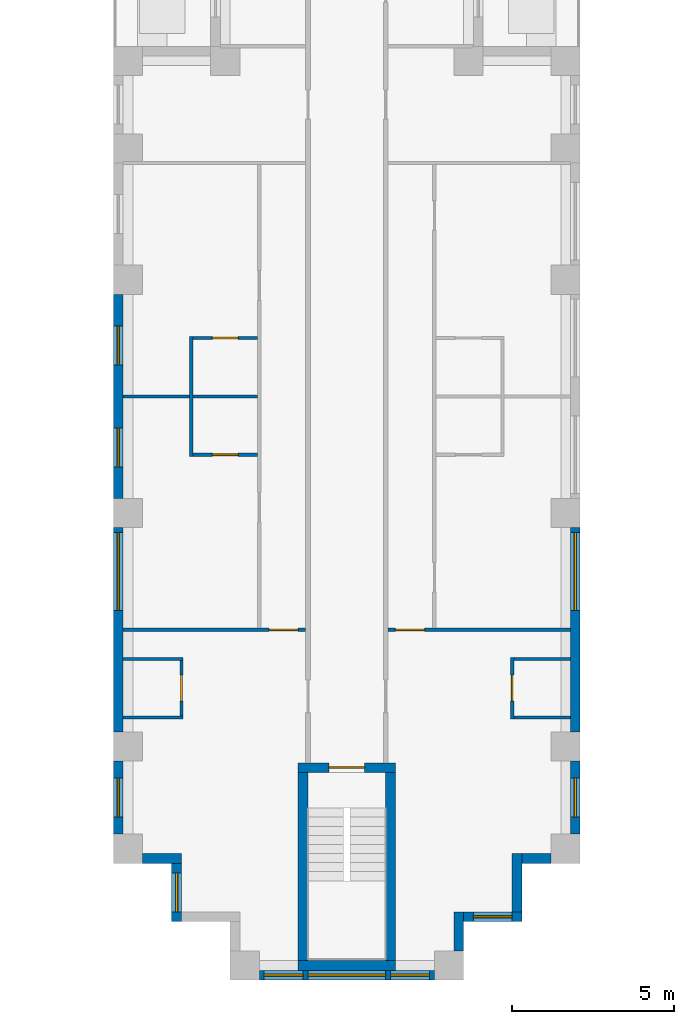
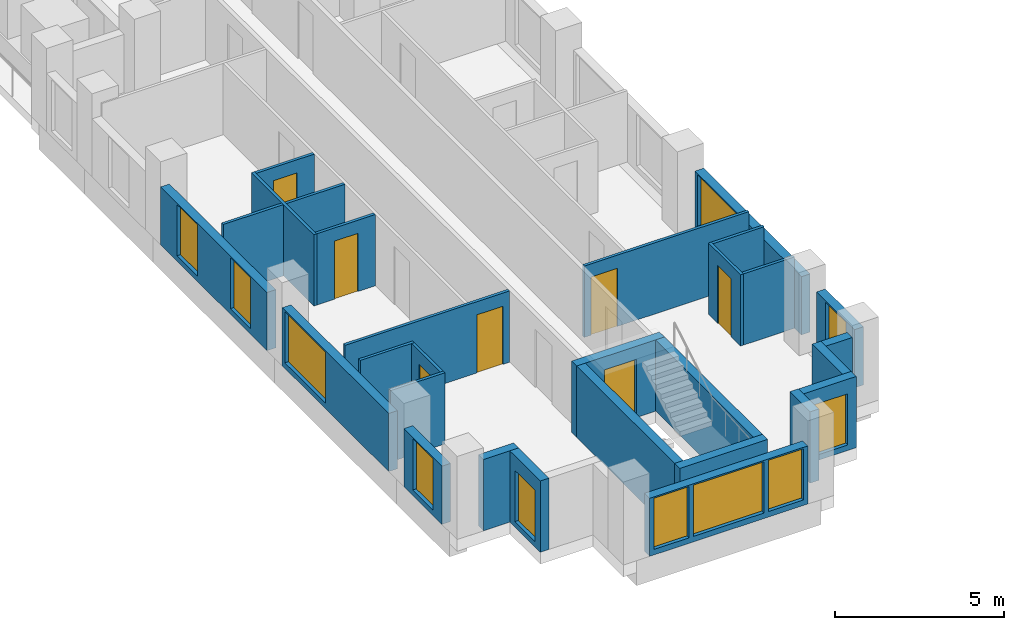
# One storey, part 3 of 15: 28 walls, 11 windows, 7 doors, 18 openings.
"""IFC4 building model written with IfcOpenShell, lengths in metres."""

from ifc_helpers import new_model, si_unit, direction, frame, frame_2d, origin, place, context, subcontext, project, spatial, rectangle, extrude, material, layer, layer_set, type_object, element, fill, save


model = new_model("IFC4")

# Units and contexts
model_context = context("Model", 3, precision=1e-05, world=origin(), true_north=direction((0.0, 1.0)))
body_context = subcontext(model_context, "Body", "Model", "MODEL_VIEW")
ifc_project = project(units=[si_unit("LENGTHUNIT", "METRE"), si_unit("AREAUNIT", "SQUARE_METRE"), si_unit("VOLUMEUNIT", "CUBIC_METRE"), si_unit("PLANEANGLEUNIT", "RADIAN"), si_unit("MASSUNIT", "GRAM", prefix="KILO")], contexts=[model_context])

# Site, building, storey
site_placement = place(None, origin())
site = spatial("IfcSite", under=ifc_project, at=site_placement, CompositionType="ELEMENT")
building_placement = place(site_placement, origin())
building = spatial("IfcBuilding", under=site, at=building_placement, Name="Fustian Cross Tower", CompositionType="ELEMENT")
storey_placement = place(building_placement, frame((0.0, 0.0, 47.699951171875)))
storey = spatial("IfcBuildingStorey", under=building, at=storey_placement, Name="L14", CompositionType="ELEMENT", Elevation=47.699951171875)

# Walls
ifc_material_1 = material(Name="Plasterboard on steel stud", Category="steel")
ifc_layer_1 = layer(ifc_material_1, 0.10009765625)
ifc_layer_set_1 = layer_set([ifc_layer_1], Name="Plasterboard on steel stud")
wall_type_1 = type_object("IfcWallType", Name="PARTITION 100 STUD", PredefinedType="PARTITIONING", material=ifc_layer_set_1)
for number, where, z_axis, x_axis, name in (
    (1, (-6.89990234375, -35.10009765625, 0.0), (0.0, 0.0, 1.0), (1.0, 0.0, 0.0), "Partition 18"),
    (2, (-6.89990234375, -33.300048828125, 0.0), (0.0, 0.0, 1.0), (1.0, 0.0, 0.0), "Partition 19"),
):
    element("IfcWall", number, at=place(storey_placement, frame(where, z_axis=z_axis, x_axis=x_axis)), inside=storey, type_object=wall_type_1, Name=name, PredefinedType="PARTITIONING", context=body_context, shape_type="SweptSolid", body=[
        extrude(rectangle(XDim=1.849853515625, YDim=0.10009765625, at=frame_2d((0.9248046875, 0.0))), origin(), (0.0, 0.0, 1.0), 2.574951171875),
    ])

# Wall, opening, door
wall_1_placement = place(storey_placement, frame((-6.89990234375, -32.39990234375, 0.0), z_axis=(0.0, 0.0, 1.0), x_axis=(1.0, 0.0, 0.0)))
wall_1 = element("IfcWall", 3, at=wall_1_placement, inside=storey, type_object=wall_type_1, Name="Partition 20", PredefinedType="PARTITIONING", context=body_context, shape_type="SweptSolid", body=[
    extrude(rectangle(XDim=5.625, YDim=0.10009765625, at=frame_2d((2.8125, 0.0))), origin(), (0.0, 0.0, 1.0), 2.574951171875),
])
opening_1_placement = place(wall_1_placement, frame((4.5, 0.0, 0.0)))
opening_1 = element("IfcOpeningElement", 4, at=opening_1_placement, cuts=wall_1, Name="Opening D08063", PredefinedType="OPENING", context=body_context, shape_type="SweptSolid", body=[
    extrude(rectangle(XDim=0.89990234375, YDim=2.10009765625, at=frame_2d((0.449951171875, 1.050048828125))), frame((0.0, 0.06005859375, 0.0), z_axis=(0.0, -1.0, 0.0), x_axis=(1.0, 0.0, 0.0)), (0.0, 0.0, 1.0), 0.1201171875),
])
ifc_material_2 = material(Name="Painted timber", Category="wood")
door_type_1 = type_object("IfcDoorType", Name="SWING DOOR 900", OperationType="SINGLE_SWING_LEFT", PredefinedType="DOOR", material=ifc_material_2)
door_1_placement = place(opening_1_placement, origin())
door_1 = element("IfcDoor", 5, at=door_1_placement, inside=storey, type_object=door_type_1, Name="Door D08063", OperationType="SINGLE_SWING_LEFT", OverallHeight=2.10009765625, OverallWidth=0.89990234375, PredefinedType="DOOR", context=body_context, shape_type="SweptSolid", body=[
    extrude(rectangle(XDim=0.89990234375, YDim=2.10009765625, at=frame_2d((0.449951171875, 1.050048828125))), frame((0.0, 0.02490234375, 0.0), z_axis=(0.0, -1.0, 0.0), x_axis=(1.0, 0.0, 0.0)), (0.0, 0.0, 1.0), 0.050048828125),
])
fill(opening_1, door_1)

# Wall
wall_2_placement = place(storey_placement, frame((-6.89990234375, -25.199951171875, 0.0), z_axis=(0.0, 0.0, 1.0), x_axis=(1.0, 0.0, 0.0)))
element("IfcWall", 6, at=wall_2_placement, inside=storey, type_object=wall_type_1, Name="Partition 21", PredefinedType="PARTITIONING", context=body_context, shape_type="SweptSolid", body=[
    extrude(rectangle(XDim=4.14990234375, YDim=0.10009765625, at=frame_2d((2.074951171875, 0.0))), origin(), (0.0, 0.0, 1.0), 2.574951171875),
])

# Wall, opening, door
wall_3_placement = place(storey_placement, frame((-5.10009765625, -35.050048828125, 0.0), z_axis=(0.0, 0.0, 1.0), x_axis=(0.0, 1.0, 0.0)))
wall_3 = element("IfcWall", 7, at=wall_3_placement, inside=storey, type_object=wall_type_1, Name="Partition 26", PredefinedType="PARTITIONING", context=body_context, shape_type="SweptSolid", body=[
    extrude(rectangle(XDim=1.699951171875, YDim=0.10009765625, at=frame_2d((0.85009765625, 0.0))), origin(), (0.0, 0.0, 1.0), 2.574951171875),
])
opening_2_placement = place(wall_3_placement, frame((0.449951171875, 0.0, 0.0)))
opening_2 = element("IfcOpeningElement", 8, at=opening_2_placement, cuts=wall_3, Name="Opening D08059", PredefinedType="OPENING", context=body_context, shape_type="SweptSolid", body=[
    extrude(rectangle(XDim=0.800048828125, YDim=2.10009765625, at=frame_2d((0.39990234375, 1.050048828125))), frame((0.0, 0.06005859375, 0.0), z_axis=(0.0, -1.0, 0.0), x_axis=(1.0, 0.0, 0.0)), (0.0, 0.0, 1.0), 0.1201171875),
])
ifc_material_3 = material(Name="Painted timber", Category="wood")
door_type_2 = type_object("IfcDoorType", Name="SWING DOOR 800", OperationType="SINGLE_SWING_LEFT", PredefinedType="DOOR", material=ifc_material_3)
door_2_placement = place(opening_2_placement, origin())
door_2 = element("IfcDoor", 9, at=door_2_placement, inside=storey, type_object=door_type_2, Name="Door D08059", OperationType="SINGLE_SWING_RIGHT", OverallHeight=2.10009765625, OverallWidth=0.800048828125, PredefinedType="DOOR", context=body_context, shape_type="SweptSolid", body=[
    extrude(rectangle(XDim=0.800048828125, YDim=2.10009765625, at=frame_2d((0.39990234375, 1.050048828125))), frame((0.0, 0.02490234375, 0.0), z_axis=(0.0, -1.0, 0.0), x_axis=(1.0, 0.0, 0.0)), (0.0, 0.0, 1.0), 0.050048828125),
])
fill(opening_2, door_2)

# Wall
wall_4_placement = place(storey_placement, frame((-4.800048828125, -27.050048828125, 0.0), z_axis=(0.0, 0.0, 1.0), x_axis=(0.0, 1.0, 0.0)))
element("IfcWall", 10, at=wall_4_placement, inside=storey, type_object=wall_type_1, Name="Partition 27", PredefinedType="PARTITIONING", context=body_context, shape_type="SweptSolid", body=[
    extrude(rectangle(XDim=3.699951171875, YDim=0.10009765625, at=frame_2d((1.85009765625, 0.0))), origin(), (0.0, 0.0, 1.0), 2.574951171875),
])

# Wall, opening, door
wall_5_placement = place(storey_placement, frame((-4.75, -27.0, 0.0), z_axis=(0.0, 0.0, 1.0), x_axis=(1.0, 0.0, 0.0)))
wall_5 = element("IfcWall", 11, at=wall_5_placement, inside=storey, type_object=wall_type_1, Name="Partition 28", PredefinedType="PARTITIONING", context=body_context, shape_type="SweptSolid", body=[
    extrude(rectangle(XDim=2.0, YDim=0.10009765625, at=frame_2d((1.0, 0.0))), origin(), (0.0, 0.0, 1.0), 2.574951171875),
])
opening_3_placement = place(wall_5_placement, frame((0.60009765625, 0.0, 0.0)))
opening_3 = element("IfcOpeningElement", 12, at=opening_3_placement, cuts=wall_5, Name="Opening D08065", PredefinedType="OPENING", context=body_context, shape_type="SweptSolid", body=[
    extrude(rectangle(XDim=0.800048828125, YDim=2.10009765625, at=frame_2d((0.39990234375, 1.050048828125))), frame((0.0, 0.06005859375, 0.0), z_axis=(0.0, -1.0, 0.0), x_axis=(1.0, 0.0, 0.0)), (0.0, 0.0, 1.0), 0.1201171875),
])
door_3_placement = place(opening_3_placement, origin())
door_3 = element("IfcDoor", 13, at=door_3_placement, inside=storey, type_object=door_type_2, Name="Door D08065", OperationType="SINGLE_SWING_LEFT", OverallHeight=2.10009765625, OverallWidth=0.800048828125, PredefinedType="DOOR", context=body_context, shape_type="SweptSolid", body=[
    extrude(rectangle(XDim=0.800048828125, YDim=2.10009765625, at=frame_2d((0.39990234375, 1.050048828125))), frame((0.0, 0.02490234375, 0.0), z_axis=(0.0, -1.0, 0.0), x_axis=(1.0, 0.0, 0.0)), (0.0, 0.0, 1.0), 0.050048828125),
])
fill(opening_3, door_3)

wall_6_placement = place(storey_placement, frame((-4.75, -23.39990234375, 0.0), z_axis=(0.0, 0.0, 1.0), x_axis=(1.0, 0.0, 0.0)))
wall_6 = element("IfcWall", 14, at=wall_6_placement, inside=storey, type_object=wall_type_1, Name="Partition 29", PredefinedType="PARTITIONING", context=body_context, shape_type="SweptSolid", body=[
    extrude(rectangle(XDim=2.0, YDim=0.10009765625, at=frame_2d((1.0, 0.0))), origin(), (0.0, 0.0, 1.0), 2.574951171875),
])
opening_4_placement = place(wall_6_placement, frame((0.60009765625, 0.0, 0.0)))
opening_4 = element("IfcOpeningElement", 15, at=opening_4_placement, cuts=wall_6, Name="Opening D08064", PredefinedType="OPENING", context=body_context, shape_type="SweptSolid", body=[
    extrude(rectangle(XDim=0.800048828125, YDim=2.10009765625, at=frame_2d((0.39990234375, 1.050048828125))), frame((0.0, 0.06005859375, 0.0), z_axis=(0.0, -1.0, 0.0), x_axis=(1.0, 0.0, 0.0)), (0.0, 0.0, 1.0), 0.1201171875),
])
door_4_placement = place(opening_4_placement, frame((0.800048828125, 0.0, 0.0), z_axis=(0.0, 0.0, 1.0), x_axis=(-1.0, 0.0, 0.0)))
door_4 = element("IfcDoor", 16, at=door_4_placement, inside=storey, type_object=door_type_2, Name="Door D08064", OperationType="SINGLE_SWING_RIGHT", OverallHeight=2.10009765625, OverallWidth=0.800048828125, PredefinedType="DOOR", context=body_context, shape_type="SweptSolid", body=[
    extrude(rectangle(XDim=0.800048828125, YDim=2.10009765625, at=frame_2d((0.39990234375, 1.050048828125))), frame((0.0, 0.02490234375, 0.0), z_axis=(0.0, -1.0, 0.0), x_axis=(1.0, 0.0, 0.0)), (0.0, 0.0, 1.0), 0.050048828125),
])
fill(opening_4, door_4)

wall_7_placement = place(storey_placement, frame((1.27490234375, -32.39990234375, 0.0), z_axis=(0.0, 0.0, 1.0), x_axis=(1.0, 0.0, 0.0)))
wall_7 = element("IfcWall", 17, at=wall_7_placement, inside=storey, type_object=wall_type_1, Name="Partition 45", PredefinedType="PARTITIONING", context=body_context, shape_type="SweptSolid", body=[
    extrude(rectangle(XDim=5.625, YDim=0.10009765625, at=frame_2d((2.8125, 0.0))), origin(), (0.0, 0.0, 1.0), 2.574951171875),
])
opening_5_placement = place(wall_7_placement, frame((0.22509765625, 0.0, 0.0)))
opening_5 = element("IfcOpeningElement", 18, at=opening_5_placement, cuts=wall_7, Name="Opening D08052", PredefinedType="OPENING", context=body_context, shape_type="SweptSolid", body=[
    extrude(rectangle(XDim=0.89990234375, YDim=2.10009765625, at=frame_2d((0.449951171875, 1.050048828125))), frame((0.0, 0.06005859375, 0.0), z_axis=(0.0, -1.0, 0.0), x_axis=(1.0, 0.0, 0.0)), (0.0, 0.0, 1.0), 0.1201171875),
])
door_5_placement = place(opening_5_placement, origin())
door_5 = element("IfcDoor", 19, at=door_5_placement, inside=storey, type_object=door_type_1, Name="Door D08052", OperationType="SINGLE_SWING_LEFT", OverallHeight=2.10009765625, OverallWidth=0.89990234375, PredefinedType="DOOR", context=body_context, shape_type="SweptSolid", body=[
    extrude(rectangle(XDim=0.89990234375, YDim=2.10009765625, at=frame_2d((0.449951171875, 1.050048828125))), frame((0.0, 0.02490234375, 0.0), z_axis=(0.0, -1.0, 0.0), x_axis=(1.0, 0.0, 0.0)), (0.0, 0.0, 1.0), 0.050048828125),
])
fill(opening_5, door_5)

wall_8_placement = place(storey_placement, frame((5.10009765625, -35.14990234375, 0.0), z_axis=(0.0, 0.0, 1.0), x_axis=(0.0, 1.0, 0.0)))
wall_8 = element("IfcWall", 20, at=wall_8_placement, inside=storey, type_object=wall_type_1, Name="Partition 70", PredefinedType="PARTITIONING", context=body_context, shape_type="SweptSolid", body=[
    extrude(rectangle(XDim=1.89990234375, YDim=0.10009765625, at=frame_2d((0.949951171875, 0.0))), origin(), (0.0, 0.0, 1.0), 2.574951171875),
])
opening_6_placement = place(wall_8_placement, frame((0.550048828125, 0.0, 0.0)))
opening_6 = element("IfcOpeningElement", 21, at=opening_6_placement, cuts=wall_8, Name="Opening D08050", PredefinedType="OPENING", context=body_context, shape_type="SweptSolid", body=[
    extrude(rectangle(XDim=0.800048828125, YDim=2.10009765625, at=frame_2d((0.39990234375, 1.050048828125))), frame((0.0, 0.06005859375, 0.0), z_axis=(0.0, -1.0, 0.0), x_axis=(1.0, 0.0, 0.0)), (0.0, 0.0, 1.0), 0.1201171875),
])
door_6_placement = place(opening_6_placement, frame((0.800048828125, 0.0, 0.0), z_axis=(0.0, 0.0, 1.0), x_axis=(-1.0, 0.0, 0.0)))
door_6 = element("IfcDoor", 22, at=door_6_placement, inside=storey, type_object=door_type_2, Name="Door D08050", OperationType="SINGLE_SWING_LEFT", OverallHeight=2.10009765625, OverallWidth=0.800048828125, PredefinedType="DOOR", context=body_context, shape_type="SweptSolid", body=[
    extrude(rectangle(XDim=0.800048828125, YDim=2.10009765625, at=frame_2d((0.39990234375, 1.050048828125))), frame((0.0, 0.02490234375, 0.0), z_axis=(0.0, -1.0, 0.0), x_axis=(1.0, 0.0, 0.0)), (0.0, 0.0, 1.0), 0.050048828125),
])
fill(opening_6, door_6)

# Walls
for number, where, z_axis, x_axis, name in (
    (23, (5.14990234375, -35.10009765625, 0.0), (0.0, 0.0, 1.0), (1.0, 0.0, 0.0), "Partition 71"),
    (24, (5.14990234375, -33.300048828125, 0.0), (0.0, 0.0, 1.0), (1.0, 0.0, 0.0), "Partition 72"),
):
    element("IfcWall", number, at=place(storey_placement, frame(where, z_axis=z_axis, x_axis=x_axis)), inside=storey, type_object=wall_type_1, Name=name, PredefinedType="PARTITIONING", context=body_context, shape_type="SweptSolid", body=[
        extrude(rectangle(XDim=1.75, YDim=0.10009765625, at=frame_2d((0.875, 0.0))), origin(), (0.0, 0.0, 1.0), 2.574951171875),
    ])

# Wall, opening, door
ifc_material_4 = material(Name="Concrete C50/60", Category="concrete")
ifc_layer_2 = layer(ifc_material_4, 0.300048828125)
ifc_layer_set_2 = layer_set([ifc_layer_2], Name="Concrete C50/60")
wall_type_2 = type_object("IfcWallType", Name="STAIR ENCLOSURE WALL 300 C50/60", PredefinedType="SHEAR", material=ifc_layer_set_2)
wall_9_placement = place(storey_placement, frame((-1.5, -36.64990234375, 0.0), z_axis=(0.0, 0.0, 1.0), x_axis=(1.0, 0.0, 0.0)))
wall_9 = element("IfcWall", 25, at=wall_9_placement, inside=storey, type_object=wall_type_2, Name="Stair enclosure wall", PredefinedType="SHEAR", context=body_context, shape_type="SweptSolid", body=[
    extrude(rectangle(XDim=3.0, YDim=0.300048828125, at=frame_2d((1.5, 0.0))), origin(), (0.0, 0.0, 1.0), 2.574951171875),
])
opening_7_placement = place(wall_9_placement, frame((0.949951171875, 0.0, 0.0)))
opening_7 = element("IfcOpeningElement", 26, at=opening_7_placement, cuts=wall_9, Name="Opening CD-05-32", PredefinedType="OPENING", context=body_context, shape_type="SweptSolid", body=[
    extrude(rectangle(XDim=1.10009765625, YDim=2.10009765625, at=frame_2d((0.550048828125, 1.050048828125))), frame((0.0, 0.159912109375, 0.0), z_axis=(0.0, -1.0, 0.0), x_axis=(1.0, 0.0, 0.0)), (0.0, 0.0, 1.0), 0.320068359375),
])
ifc_material_5 = material(Name="Steel", Category="steel")
door_type_3 = type_object("IfcDoorType", Name="FIRE DOOR FD60S 1100X2100", OperationType="SINGLE_SWING_LEFT", PredefinedType="DOOR", material=ifc_material_5)
door_7_placement = place(opening_7_placement, frame((1.10009765625, 0.0, 0.0), z_axis=(0.0, 0.0, 1.0), x_axis=(-1.0, 0.0, 0.0)))
door_7 = element("IfcDoor", 27, at=door_7_placement, inside=storey, type_object=door_type_3, Name="Core door CD-05-32", OperationType="SINGLE_SWING_RIGHT", OverallHeight=2.10009765625, OverallWidth=1.10009765625, PredefinedType="DOOR", context=body_context, shape_type="SweptSolid", body=[
    extrude(rectangle(XDim=1.10009765625, YDim=2.10009765625, at=frame_2d((0.550048828125, 1.050048828125))), frame((0.0, 0.02490234375, 0.0), z_axis=(0.0, -1.0, 0.0), x_axis=(1.0, 0.0, 0.0)), (0.0, 0.0, 1.0), 0.050048828125),
])
fill(opening_7, door_7)

# Walls
wall_10_placement = place(storey_placement, frame((-1.5, -42.75, 0.0), z_axis=(0.0, 0.0, 1.0), x_axis=(1.0, 0.0, 0.0)))
element("IfcWall", 28, at=wall_10_placement, inside=storey, type_object=wall_type_2, Name="Stair enclosure wall", PredefinedType="SHEAR", context=body_context, shape_type="SweptSolid", body=[
    extrude(rectangle(XDim=3.0, YDim=0.300048828125, at=frame_2d((1.5, 0.0))), origin(), (0.0, 0.0, 1.0), 2.574951171875),
])
for number, where, z_axis, x_axis, name in (
    (29, (-1.35009765625, -36.800048828125, 0.0), (0.0, 0.0, 1.0), (0.0, -1.0, 0.0), "Stair enclosure wall"),
    (30, (1.35009765625, -36.800048828125, 0.0), (0.0, 0.0, 1.0), (0.0, -1.0, 0.0), "Stair enclosure wall"),
):
    element("IfcWall", number, at=place(storey_placement, frame(where, z_axis=z_axis, x_axis=x_axis)), inside=storey, type_object=wall_type_2, Name=name, PredefinedType="SHEAR", context=body_context, shape_type="SweptSolid", body=[
        extrude(rectangle(XDim=5.800048828125, YDim=0.300048828125, at=frame_2d((2.89990234375, 0.0))), origin(), (0.0, 0.0, 1.0), 2.574951171875),
    ])

# Wall, openings, windows
ifc_material_6 = material(Name="Dark aluminium cladding on insulated backing wall", Category="aluminium")
ifc_layer_3 = layer(ifc_material_6, 0.300048828125)
ifc_layer_set_3 = layer_set([ifc_layer_3], Name="Dark aluminium cladding on insulated backing wall")
wall_type_3 = type_object("IfcWallType", Name="XW1 EXTERNAL WALL 300", PredefinedType="SOLIDWALL", material=ifc_layer_set_3)
wall_11_placement = place(storey_placement, frame((-7.050048828125, -22.050048828125, 0.0), z_axis=(0.0, 0.0, 1.0), x_axis=(0.0, -1.0, 0.0)))
wall_11 = element("IfcWall", 31, at=wall_11_placement, inside=storey, type_object=wall_type_3, Name="External wall", PredefinedType="SOLIDWALL", context=body_context, shape_type="SweptSolid", body=[
    extrude(rectangle(XDim=6.300048828125, YDim=0.300048828125, at=frame_2d((3.14990234375, 0.0))), origin(), (0.0, 0.0, 1.0), 2.10009765625),
])
opening_8_placement = place(wall_11_placement, frame((0.97509765625, 0.0, 0.199951171875)))
opening_8 = element("IfcOpeningElement", 32, at=opening_8_placement, cuts=wall_11, Name="Opening WN3", PredefinedType="OPENING", context=body_context, shape_type="SweptSolid", body=[
    extrude(rectangle(XDim=1.199951171875, YDim=1.85009765625, at=frame_2d((0.60009765625, 0.925048828125))), frame((0.0, 0.159912109375, 0.0), z_axis=(0.0, -1.0, 0.0), x_axis=(1.0, 0.0, 0.0)), (0.0, 0.0, 1.0), 0.320068359375),
])
opening_9_placement = place(wall_11_placement, frame((4.125, 0.0, 0.199951171875)))
opening_9 = element("IfcOpeningElement", 33, at=opening_9_placement, cuts=wall_11, Name="Opening WN3", PredefinedType="OPENING", context=body_context, shape_type="SweptSolid", body=[
    extrude(rectangle(XDim=1.199951171875, YDim=1.85009765625, at=frame_2d((0.60009765625, 0.925048828125))), frame((0.0, 0.159912109375, 0.0), z_axis=(0.0, -1.0, 0.0), x_axis=(1.0, 0.0, 0.0)), (0.0, 0.0, 1.0), 0.320068359375),
])
ifc_material_7 = material(Name="Dark anodised aluminium and double glazing", Category="aluminium")
window_type_1 = type_object("IfcWindowType", Name="WN3 WINDOW 1200X1850", PartitioningType="SINGLE_PANEL", PredefinedType="WINDOW", material=ifc_material_7)
window_1_placement = place(opening_8_placement, origin())
window_1 = element("IfcWindow", 34, at=window_1_placement, inside=storey, type_object=window_type_1, Name="Window", OverallHeight=1.85009765625, OverallWidth=1.199951171875, PartitioningType="SINGLE_PANEL", PredefinedType="WINDOW", context=body_context, shape_type="SweptSolid", body=[
    extrude(rectangle(XDim=1.199951171875, YDim=1.85009765625, at=frame_2d((0.60009765625, 0.925048828125))), frame((0.0, 0.030029296875, 0.0), z_axis=(0.0, -1.0, 0.0), x_axis=(1.0, 0.0, 0.0)), (0.0, 0.0, 1.0), 0.06005859375),
])
fill(opening_8, window_1)
window_2_placement = place(opening_9_placement, origin())
window_2 = element("IfcWindow", 35, at=window_2_placement, inside=storey, type_object=window_type_1, Name="Window", OverallHeight=1.85009765625, OverallWidth=1.199951171875, PartitioningType="SINGLE_PANEL", PredefinedType="WINDOW", context=body_context, shape_type="SweptSolid", body=[
    extrude(rectangle(XDim=1.199951171875, YDim=1.85009765625, at=frame_2d((0.60009765625, 0.925048828125))), frame((0.0, 0.030029296875, 0.0), z_axis=(0.0, -1.0, 0.0), x_axis=(1.0, 0.0, 0.0)), (0.0, 0.0, 1.0), 0.06005859375),
])
fill(opening_9, window_2)

# Wall, opening, window
wall_12_placement = place(storey_placement, frame((-7.050048828125, -29.25, 0.0), z_axis=(0.0, 0.0, 1.0), x_axis=(0.0, -1.0, 0.0)))
wall_12 = element("IfcWall", 36, at=wall_12_placement, inside=storey, type_object=wall_type_3, Name="External wall", PredefinedType="SOLIDWALL", context=body_context, shape_type="SweptSolid", body=[
    extrude(rectangle(XDim=6.300048828125, YDim=0.300048828125, at=frame_2d((3.14990234375, 0.0))), origin(), (0.0, 0.0, 1.0), 2.10009765625),
])
opening_10_placement = place(wall_12_placement, frame((0.14990234375, 0.0, 0.199951171875)))
opening_10 = element("IfcOpeningElement", 37, at=opening_10_placement, cuts=wall_12, Name="Opening WN1", PredefinedType="OPENING", context=body_context, shape_type="SweptSolid", body=[
    extrude(rectangle(XDim=2.39990234375, YDim=1.85009765625, at=frame_2d((1.199951171875, 0.925048828125))), frame((0.0, 0.159912109375, 0.0), z_axis=(0.0, -1.0, 0.0), x_axis=(1.0, 0.0, 0.0)), (0.0, 0.0, 1.0), 0.320068359375),
])
ifc_material_8 = material(Name="Dark anodised aluminium and double glazing", Category="aluminium")
window_type_2 = type_object("IfcWindowType", Name="WN1 WINDOW 2400X1850", PartitioningType="SINGLE_PANEL", PredefinedType="WINDOW", material=ifc_material_8)
window_3_placement = place(opening_10_placement, origin())
window_3 = element("IfcWindow", 38, at=window_3_placement, inside=storey, type_object=window_type_2, Name="Window", OverallHeight=1.85009765625, OverallWidth=2.39990234375, PartitioningType="SINGLE_PANEL", PredefinedType="WINDOW", context=body_context, shape_type="SweptSolid", body=[
    extrude(rectangle(XDim=2.39990234375, YDim=1.85009765625, at=frame_2d((1.199951171875, 0.925048828125))), frame((0.0, 0.030029296875, 0.0), z_axis=(0.0, -1.0, 0.0), x_axis=(1.0, 0.0, 0.0)), (0.0, 0.0, 1.0), 0.06005859375),
])
fill(opening_10, window_3)

wall_13_placement = place(storey_placement, frame((-7.050048828125, -36.449951171875, 0.0), z_axis=(0.0, 0.0, 1.0), x_axis=(0.0, -1.0, 0.0)))
wall_13 = element("IfcWall", 39, at=wall_13_placement, inside=storey, type_object=wall_type_3, Name="External wall", PredefinedType="SOLIDWALL", context=body_context, shape_type="SweptSolid", body=[
    extrude(rectangle(XDim=2.25, YDim=0.300048828125, at=frame_2d((1.125, 0.0))), origin(), (0.0, 0.0, 1.0), 2.10009765625),
])
opening_11_placement = place(wall_13_placement, frame((0.52490234375, 0.0, 0.199951171875)))
opening_11 = element("IfcOpeningElement", 40, at=opening_11_placement, cuts=wall_13, Name="Opening WN3", PredefinedType="OPENING", context=body_context, shape_type="SweptSolid", body=[
    extrude(rectangle(XDim=1.199951171875, YDim=1.85009765625, at=frame_2d((0.60009765625, 0.925048828125))), frame((0.0, 0.159912109375, 0.0), z_axis=(0.0, -1.0, 0.0), x_axis=(1.0, 0.0, 0.0)), (0.0, 0.0, 1.0), 0.320068359375),
])
window_4_placement = place(opening_11_placement, origin())
window_4 = element("IfcWindow", 41, at=window_4_placement, inside=storey, type_object=window_type_1, Name="Window", OverallHeight=1.85009765625, OverallWidth=1.199951171875, PartitioningType="SINGLE_PANEL", PredefinedType="WINDOW", context=body_context, shape_type="SweptSolid", body=[
    extrude(rectangle(XDim=1.199951171875, YDim=1.85009765625, at=frame_2d((0.60009765625, 0.925048828125))), frame((0.0, 0.030029296875, 0.0), z_axis=(0.0, -1.0, 0.0), x_axis=(1.0, 0.0, 0.0)), (0.0, 0.0, 1.0), 0.06005859375),
])
fill(opening_11, window_4)

# Wall
wall_14_placement = place(storey_placement, frame((-6.300048828125, -39.449951171875, 0.0), z_axis=(0.0, 0.0, 1.0), x_axis=(1.0, 0.0, 0.0)))
element("IfcWall", 42, at=wall_14_placement, inside=storey, type_object=wall_type_3, Name="External wall", PredefinedType="SOLIDWALL", context=body_context, shape_type="SweptSolid", body=[
    extrude(rectangle(XDim=1.199951171875, YDim=0.300048828125, at=frame_2d((0.60009765625, 0.0))), origin(), (0.0, 0.0, 1.0), 2.574951171875),
])

# Wall, opening, window
wall_15_placement = place(storey_placement, frame((-5.25, -39.60009765625, 0.0), z_axis=(0.0, 0.0, 1.0), x_axis=(0.0, -1.0, 0.0)))
wall_15 = element("IfcWall", 43, at=wall_15_placement, inside=storey, type_object=wall_type_3, Name="External wall", PredefinedType="SOLIDWALL", context=body_context, shape_type="SweptSolid", body=[
    extrude(rectangle(XDim=1.7998046875, YDim=0.300048828125, at=frame_2d((0.89990234375, 0.0))), origin(), (0.0, 0.0, 1.0), 2.574951171875),
])
opening_12_placement = place(wall_15_placement, frame((0.300048828125, 0.0, 0.199951171875)))
opening_12 = element("IfcOpeningElement", 44, at=opening_12_placement, cuts=wall_15, Name="Opening WN3", PredefinedType="OPENING", context=body_context, shape_type="SweptSolid", body=[
    extrude(rectangle(XDim=1.199951171875, YDim=1.85009765625, at=frame_2d((0.60009765625, 0.925048828125))), frame((0.0, 0.159912109375, 0.0), z_axis=(0.0, -1.0, 0.0), x_axis=(1.0, 0.0, 0.0)), (0.0, 0.0, 1.0), 0.320068359375),
])
window_5_placement = place(opening_12_placement, origin())
window_5 = element("IfcWindow", 45, at=window_5_placement, inside=storey, type_object=window_type_1, Name="Window", OverallHeight=1.85009765625, OverallWidth=1.199951171875, PartitioningType="SINGLE_PANEL", PredefinedType="WINDOW", context=body_context, shape_type="SweptSolid", body=[
    extrude(rectangle(XDim=1.199951171875, YDim=1.85009765625, at=frame_2d((0.60009765625, 0.925048828125))), frame((0.0, 0.030029296875, 0.0), z_axis=(0.0, -1.0, 0.0), x_axis=(1.0, 0.0, 0.0)), (0.0, 0.0, 1.0), 0.06005859375),
])
fill(opening_12, window_5)

# Wall, openings, windows
wall_16_placement = place(storey_placement, frame((-2.699951171875, -43.050048828125, 0.0), z_axis=(0.0, 0.0, 1.0), x_axis=(1.0, 0.0, 0.0)))
wall_16 = element("IfcWall", 46, at=wall_16_placement, inside=storey, type_object=wall_type_3, Name="External wall", PredefinedType="SOLIDWALL", context=body_context, shape_type="SweptSolid", body=[
    extrude(rectangle(XDim=5.39990234375, YDim=0.300048828125, at=frame_2d((2.699951171875, 0.0))), origin(), (0.0, 0.0, 1.0), 2.10009765625),
])
opening_13_placement = place(wall_16_placement, frame((1.5, 0.0, 0.199951171875)))
opening_13 = element("IfcOpeningElement", 47, at=opening_13_placement, cuts=wall_16, Name="Opening WN1", PredefinedType="OPENING", context=body_context, shape_type="SweptSolid", body=[
    extrude(rectangle(XDim=2.39990234375, YDim=1.85009765625, at=frame_2d((1.199951171875, 0.925048828125))), frame((0.0, 0.159912109375, 0.0), z_axis=(0.0, -1.0, 0.0), x_axis=(1.0, 0.0, 0.0)), (0.0, 0.0, 1.0), 0.320068359375),
])
opening_14_placement = place(wall_16_placement, frame((0.14990234375, 0.0, 0.199951171875)))
opening_14 = element("IfcOpeningElement", 48, at=opening_14_placement, cuts=wall_16, Name="Opening WN3", PredefinedType="OPENING", context=body_context, shape_type="SweptSolid", body=[
    extrude(rectangle(XDim=1.199951171875, YDim=1.85009765625, at=frame_2d((0.60009765625, 0.925048828125))), frame((0.0, 0.159912109375, 0.0), z_axis=(0.0, -1.0, 0.0), x_axis=(1.0, 0.0, 0.0)), (0.0, 0.0, 1.0), 0.320068359375),
])
opening_15_placement = place(wall_16_placement, frame((4.050048828125, 0.0, 0.199951171875)))
opening_15 = element("IfcOpeningElement", 49, at=opening_15_placement, cuts=wall_16, Name="Opening WN3", PredefinedType="OPENING", context=body_context, shape_type="SweptSolid", body=[
    extrude(rectangle(XDim=1.199951171875, YDim=1.85009765625, at=frame_2d((0.60009765625, 0.925048828125))), frame((0.0, 0.159912109375, 0.0), z_axis=(0.0, -1.0, 0.0), x_axis=(1.0, 0.0, 0.0)), (0.0, 0.0, 1.0), 0.320068359375),
])
window_6_placement = place(opening_13_placement, origin())
window_6 = element("IfcWindow", 50, at=window_6_placement, inside=storey, type_object=window_type_2, Name="Window", OverallHeight=1.85009765625, OverallWidth=2.39990234375, PartitioningType="SINGLE_PANEL", PredefinedType="WINDOW", context=body_context, shape_type="SweptSolid", body=[
    extrude(rectangle(XDim=2.39990234375, YDim=1.85009765625, at=frame_2d((1.199951171875, 0.925048828125))), frame((0.0, 0.030029296875, 0.0), z_axis=(0.0, -1.0, 0.0), x_axis=(1.0, 0.0, 0.0)), (0.0, 0.0, 1.0), 0.06005859375),
])
fill(opening_13, window_6)
window_7_placement = place(opening_14_placement, origin())
window_7 = element("IfcWindow", 51, at=window_7_placement, inside=storey, type_object=window_type_1, Name="Window", OverallHeight=1.85009765625, OverallWidth=1.199951171875, PartitioningType="SINGLE_PANEL", PredefinedType="WINDOW", context=body_context, shape_type="SweptSolid", body=[
    extrude(rectangle(XDim=1.199951171875, YDim=1.85009765625, at=frame_2d((0.60009765625, 0.925048828125))), frame((0.0, 0.030029296875, 0.0), z_axis=(0.0, -1.0, 0.0), x_axis=(1.0, 0.0, 0.0)), (0.0, 0.0, 1.0), 0.06005859375),
])
fill(opening_14, window_7)
window_8_placement = place(opening_15_placement, origin())
window_8 = element("IfcWindow", 52, at=window_8_placement, inside=storey, type_object=window_type_1, Name="Window", OverallHeight=1.85009765625, OverallWidth=1.199951171875, PartitioningType="SINGLE_PANEL", PredefinedType="WINDOW", context=body_context, shape_type="SweptSolid", body=[
    extrude(rectangle(XDim=1.199951171875, YDim=1.85009765625, at=frame_2d((0.60009765625, 0.925048828125))), frame((0.0, 0.030029296875, 0.0), z_axis=(0.0, -1.0, 0.0), x_axis=(1.0, 0.0, 0.0)), (0.0, 0.0, 1.0), 0.06005859375),
])
fill(opening_15, window_8)

# Wall
wall_17_placement = place(storey_placement, frame((3.449951171875, -42.300048828125, 0.0), z_axis=(0.0, 0.0, 1.0), x_axis=(0.0, 1.0, 0.0)))
element("IfcWall", 53, at=wall_17_placement, inside=storey, type_object=wall_type_3, Name="External wall", PredefinedType="SOLIDWALL", context=body_context, shape_type="SweptSolid", body=[
    extrude(rectangle(XDim=1.199951171875, YDim=0.300048828125, at=frame_2d((0.60009765625, 0.0))), origin(), (0.0, 0.0, 1.0), 2.574951171875),
])

# Wall, opening, window
wall_18_placement = place(storey_placement, frame((3.60009765625, -41.25, 0.0), z_axis=(0.0, 0.0, 1.0), x_axis=(1.0, 0.0, 0.0)))
wall_18 = element("IfcWall", 54, at=wall_18_placement, inside=storey, type_object=wall_type_3, Name="External wall", PredefinedType="SOLIDWALL", context=body_context, shape_type="SweptSolid", body=[
    extrude(rectangle(XDim=1.7998046875, YDim=0.300048828125, at=frame_2d((0.89990234375, 0.0))), origin(), (0.0, 0.0, 1.0), 2.574951171875),
])
opening_16_placement = place(wall_18_placement, frame((0.300048828125, 0.0, 0.199951171875)))
opening_16 = element("IfcOpeningElement", 55, at=opening_16_placement, cuts=wall_18, Name="Opening WN3", PredefinedType="OPENING", context=body_context, shape_type="SweptSolid", body=[
    extrude(rectangle(XDim=1.199951171875, YDim=1.85009765625, at=frame_2d((0.60009765625, 0.925048828125))), frame((0.0, 0.159912109375, 0.0), z_axis=(0.0, -1.0, 0.0), x_axis=(1.0, 0.0, 0.0)), (0.0, 0.0, 1.0), 0.320068359375),
])
window_9_placement = place(opening_16_placement, origin())
window_9 = element("IfcWindow", 56, at=window_9_placement, inside=storey, type_object=window_type_1, Name="Window", OverallHeight=1.85009765625, OverallWidth=1.199951171875, PartitioningType="SINGLE_PANEL", PredefinedType="WINDOW", context=body_context, shape_type="SweptSolid", body=[
    extrude(rectangle(XDim=1.199951171875, YDim=1.85009765625, at=frame_2d((0.60009765625, 0.925048828125))), frame((0.0, 0.030029296875, 0.0), z_axis=(0.0, -1.0, 0.0), x_axis=(1.0, 0.0, 0.0)), (0.0, 0.0, 1.0), 0.06005859375),
])
fill(opening_16, window_9)

# Walls
wall_19_placement = place(storey_placement, frame((5.25, -41.10009765625, 0.0), z_axis=(0.0, 0.0, 1.0), x_axis=(0.0, 1.0, 0.0)))
element("IfcWall", 57, at=wall_19_placement, inside=storey, type_object=wall_type_3, Name="External wall", PredefinedType="SOLIDWALL", context=body_context, shape_type="SweptSolid", body=[
    extrude(rectangle(XDim=1.800048828125, YDim=0.300048828125, at=frame_2d((0.89990234375, 0.0))), origin(), (0.0, 0.0, 1.0), 2.574951171875),
])
wall_20_placement = place(storey_placement, frame((5.39990234375, -39.449951171875, 0.0), z_axis=(0.0, 0.0, 1.0), x_axis=(1.0, 0.0, 0.0)))
element("IfcWall", 58, at=wall_20_placement, inside=storey, type_object=wall_type_3, Name="External wall", PredefinedType="SOLIDWALL", context=body_context, shape_type="SweptSolid", body=[
    extrude(rectangle(XDim=0.900146484375, YDim=0.300048828125, at=frame_2d((0.4501953125, 0.0))), origin(), (0.0, 0.0, 1.0), 2.574951171875),
])

# Wall, opening, window
wall_21_placement = place(storey_placement, frame((7.050048828125, -38.699951171875, 0.0), z_axis=(0.0, 0.0, 1.0), x_axis=(0.0, 1.0, 0.0)))
wall_21 = element("IfcWall", 59, at=wall_21_placement, inside=storey, type_object=wall_type_3, Name="External wall", PredefinedType="SOLIDWALL", context=body_context, shape_type="SweptSolid", body=[
    extrude(rectangle(XDim=2.25, YDim=0.300048828125, at=frame_2d((1.125, 0.0))), origin(), (0.0, 0.0, 1.0), 2.10009765625),
])
opening_17_placement = place(wall_21_placement, frame((0.52490234375, 0.0, 0.199951171875)))
opening_17 = element("IfcOpeningElement", 60, at=opening_17_placement, cuts=wall_21, Name="Opening WN3", PredefinedType="OPENING", context=body_context, shape_type="SweptSolid", body=[
    extrude(rectangle(XDim=1.199951171875, YDim=1.85009765625, at=frame_2d((0.60009765625, 0.925048828125))), frame((0.0, 0.159912109375, 0.0), z_axis=(0.0, -1.0, 0.0), x_axis=(1.0, 0.0, 0.0)), (0.0, 0.0, 1.0), 0.320068359375),
])
window_10_placement = place(opening_17_placement, origin())
window_10 = element("IfcWindow", 61, at=window_10_placement, inside=storey, type_object=window_type_1, Name="Window", OverallHeight=1.85009765625, OverallWidth=1.199951171875, PartitioningType="SINGLE_PANEL", PredefinedType="WINDOW", context=body_context, shape_type="SweptSolid", body=[
    extrude(rectangle(XDim=1.199951171875, YDim=1.85009765625, at=frame_2d((0.60009765625, 0.925048828125))), frame((0.0, 0.030029296875, 0.0), z_axis=(0.0, -1.0, 0.0), x_axis=(1.0, 0.0, 0.0)), (0.0, 0.0, 1.0), 0.06005859375),
])
fill(opening_17, window_10)

wall_22_placement = place(storey_placement, frame((7.050048828125, -35.550048828125, 0.0), z_axis=(0.0, 0.0, 1.0), x_axis=(0.0, 1.0, 0.0)))
wall_22 = element("IfcWall", 62, at=wall_22_placement, inside=storey, type_object=wall_type_3, Name="External wall", PredefinedType="SOLIDWALL", context=body_context, shape_type="SweptSolid", body=[
    extrude(rectangle(XDim=6.300048828125, YDim=0.300048828125, at=frame_2d((3.14990234375, 0.0))), origin(), (0.0, 0.0, 1.0), 2.10009765625),
])
opening_18_placement = place(wall_22_placement, frame((3.75, 0.0, 0.199951171875)))
opening_18 = element("IfcOpeningElement", 63, at=opening_18_placement, cuts=wall_22, Name="Opening WN1", PredefinedType="OPENING", context=body_context, shape_type="SweptSolid", body=[
    extrude(rectangle(XDim=2.39990234375, YDim=1.85009765625, at=frame_2d((1.199951171875, 0.925048828125))), frame((0.0, 0.159912109375, 0.0), z_axis=(0.0, -1.0, 0.0), x_axis=(1.0, 0.0, 0.0)), (0.0, 0.0, 1.0), 0.320068359375),
])
window_11_placement = place(opening_18_placement, origin())
window_11 = element("IfcWindow", 64, at=window_11_placement, inside=storey, type_object=window_type_2, Name="Window", OverallHeight=1.85009765625, OverallWidth=2.39990234375, PartitioningType="SINGLE_PANEL", PredefinedType="WINDOW", context=body_context, shape_type="SweptSolid", body=[
    extrude(rectangle(XDim=2.39990234375, YDim=1.85009765625, at=frame_2d((1.199951171875, 0.925048828125))), frame((0.0, 0.030029296875, 0.0), z_axis=(0.0, -1.0, 0.0), x_axis=(1.0, 0.0, 0.0)), (0.0, 0.0, 1.0), 0.06005859375),
])
fill(opening_18, window_11)

save(model, "model.ifc")
